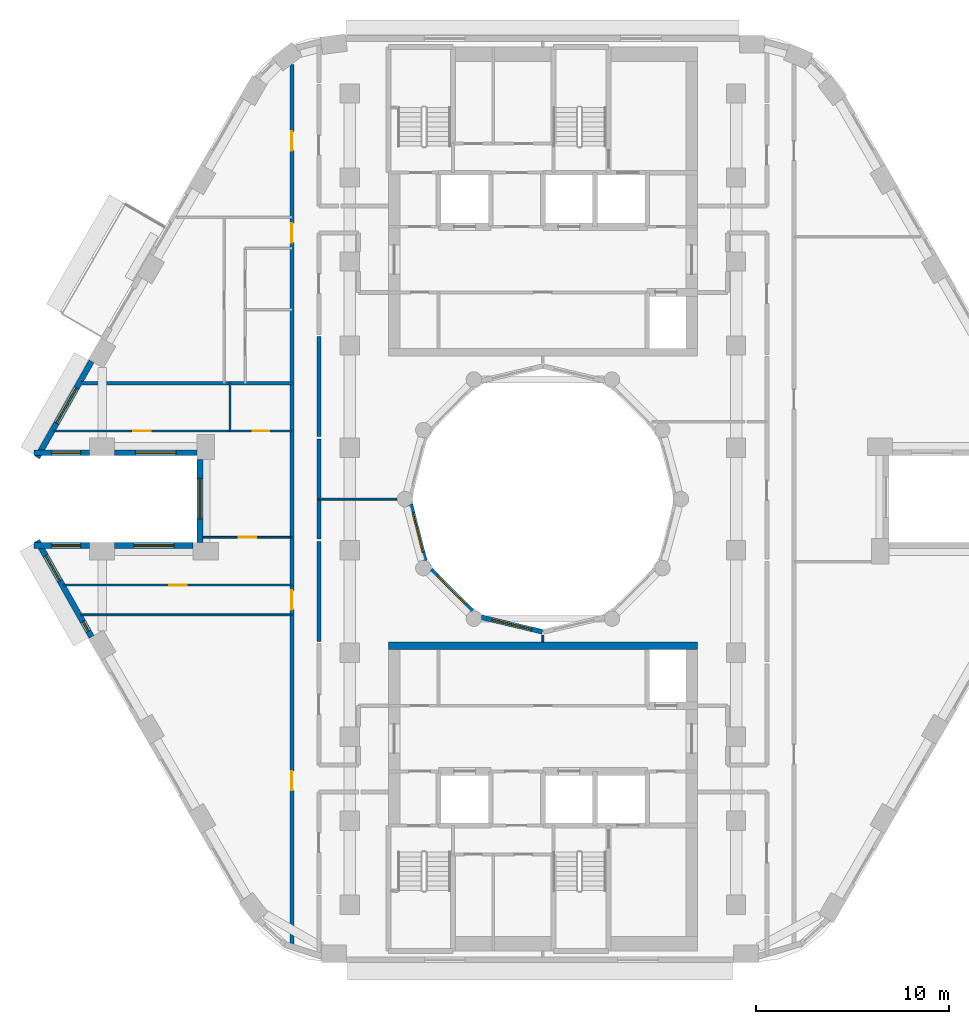
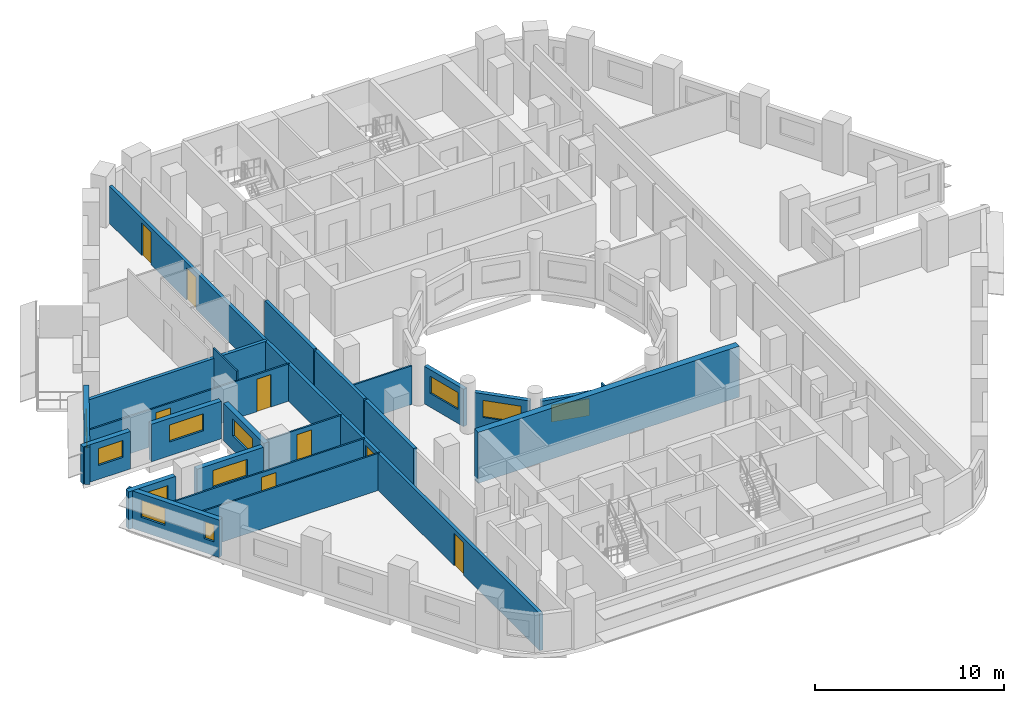
# One storey, part 4 of 13: 23 walls, 11 windows, 8 doors, 19 openings.
"""IFC4 building model written with IfcOpenShell, lengths in metres."""

from ifc_helpers import new_model, si_unit, direction, frame, frame_2d, origin, place, context, subcontext, project, spatial, rectangle, extrude, material, layer, layer_set, type_object, element, fill, save


model = new_model("IFC4")

# Units and contexts
model_context = context("Model", 3, precision=1e-05, world=origin(), true_north=direction((0.0, 1.0)))
body_context = subcontext(model_context, "Body", "Model", "MODEL_VIEW")
ifc_project = project(units=[si_unit("LENGTHUNIT", "METRE"), si_unit("AREAUNIT", "SQUARE_METRE"), si_unit("VOLUMEUNIT", "CUBIC_METRE"), si_unit("PLANEANGLEUNIT", "RADIAN"), si_unit("MASSUNIT", "GRAM", prefix="KILO")], contexts=[model_context])

# Site, building, storey
site_placement = place(None, origin())
site = spatial("IfcSite", under=ifc_project, at=site_placement, CompositionType="ELEMENT")
building_placement = place(site_placement, origin())
building = spatial("IfcBuilding", under=site, at=building_placement, Name="Nakaniwa Court", CompositionType="ELEMENT")
storey_placement = place(building_placement, frame((0.0, 0.0, 130.5)))
storey = spatial("IfcBuildingStorey", under=building, at=storey_placement, Name="L33", CompositionType="ELEMENT", Elevation=130.5)

# Walls
ifc_material_1 = material(Name="Acoustic double stud partition")
ifc_layer_1 = layer(ifc_material_1, 0.199951171875)
ifc_layer_set_1 = layer_set([ifc_layer_1], Name="Acoustic double stud partition")
wall_type_1 = type_object("IfcWallType", Name="Acoustic double stud partition 200", PredefinedType="PARTITIONING", material=ifc_layer_set_1)
for number, where, z_axis, x_axis, name in (
    (1, (68.39990234375, 72.627197265625, 0.0), (0.0, 0.0, 1.0), (0.0, 1.0, 0.0), "Partition PW-097"),
    (2, (68.39990234375, 77.92724609375, 0.0), (0.0, 0.0, 1.0), (0.0, 1.0, 0.0), "Partition PW-098"),
    (3, (68.39990234375, 83.227294921875, 0.0), (0.0, 0.0, 1.0), (0.0, 1.0, 0.0), "Partition PW-099"),
):
    element("IfcWall", number, at=place(storey_placement, frame(where, z_axis=z_axis, x_axis=x_axis)), inside=storey, type_object=wall_type_1, Name=name, PredefinedType="PARTITIONING", context=body_context, shape_type="SweptSolid", body=[
        extrude(rectangle(XDim=5.185546875, YDim=0.199951171875, at=frame_2d((2.5927734375, 0.0))), origin(), (0.0, 0.0, 1.0), 3.02490234375),
    ])

# Wall, openings, doors
wall_1_placement = place(storey_placement, frame((67.0, 56.833251953125, 0.0), z_axis=(0.0, 0.0, 1.0), x_axis=(0.0, 1.0, 0.0)))
wall_1 = element("IfcWall", 4, at=wall_1_placement, inside=storey, type_object=wall_type_1, Name="Partition PW-103", PredefinedType="PARTITIONING", context=body_context, shape_type="SweptSolid", body=[
    extrude(rectangle(XDim=45.660888671875, YDim=0.199951171875, at=frame_2d((22.83056640625, 0.0))), origin(), (0.0, 0.0, 1.0), 2.405029296875),
])
opening_1_placement = place(wall_1_placement, frame((8.083984375, 0.0, 0.0)))
opening_1 = element("IfcOpeningElement", 5, at=opening_1_placement, cuts=wall_1, Name="Opening D-02-07", PredefinedType="OPENING", context=body_context, shape_type="SweptSolid", body=[
    extrude(rectangle(XDim=1.0, YDim=2.10009765625, at=frame_2d((0.5, 1.050048828125))), frame((0.0, 0.10986328125, 0.0), z_axis=(0.0, -1.0, 0.0), x_axis=(1.0, 0.0, 0.0)), (0.0, 0.0, 1.0), 0.219970703125),
])
opening_2_placement = place(wall_1_placement, frame((17.44189453125, 0.0, 0.0)))
opening_2 = element("IfcOpeningElement", 6, at=opening_2_placement, cuts=wall_1, Name="Opening D-01-01", PredefinedType="OPENING", context=body_context, shape_type="SweptSolid", body=[
    extrude(rectangle(XDim=1.0, YDim=2.10009765625, at=frame_2d((0.5, 1.050048828125))), frame((0.0, 0.10986328125, 0.0), z_axis=(0.0, -1.0, 0.0), x_axis=(1.0, 0.0, 0.0)), (0.0, 0.0, 1.0), 0.219970703125),
])
opening_3_placement = place(wall_1_placement, frame((36.449951171875, 0.0, 0.0)))
opening_3 = element("IfcOpeningElement", 7, at=opening_3_placement, cuts=wall_1, Name="Opening D-01-02", PredefinedType="OPENING", context=body_context, shape_type="SweptSolid", body=[
    extrude(rectangle(XDim=1.0, YDim=2.10009765625, at=frame_2d((0.5, 1.050048828125))), frame((0.0, 0.10986328125, 0.0), z_axis=(0.0, -1.0, 0.0), x_axis=(1.0, 0.0, 0.0)), (0.0, 0.0, 1.0), 0.219970703125),
])
opening_4_placement = place(wall_1_placement, frame((41.202880859375, 0.0, 0.0)))
opening_4 = element("IfcOpeningElement", 8, at=opening_4_placement, cuts=wall_1, Name="Opening D-02-13", PredefinedType="OPENING", context=body_context, shape_type="SweptSolid", body=[
    extrude(rectangle(XDim=1.0, YDim=2.10009765625, at=frame_2d((0.5, 1.050048828125))), frame((0.0, 0.10986328125, 0.0), z_axis=(0.0, -1.0, 0.0), x_axis=(1.0, 0.0, 0.0)), (0.0, 0.0, 1.0), 0.219970703125),
])
ifc_material_2 = material(Name="Solid core timber door set, black veneer", Category="wood")
door_type_1 = type_object("IfcDoorType", Name="Flat entrance door 1000", OperationType="NOTDEFINED", PredefinedType="DOOR", material=ifc_material_2)
door_1_placement = place(opening_2_placement, origin())
door_1 = element("IfcDoor", 9, at=door_1_placement, inside=storey, type_object=door_type_1, Name="Door D-01-01 L33-029", OperationType="SINGLE_SWING_RIGHT", OverallHeight=2.10009765625, OverallWidth=1.0, PredefinedType="DOOR", context=body_context, shape_type="SweptSolid", body=[
    extrude(rectangle(XDim=1.0, YDim=2.10009765625, at=frame_2d((0.5, 1.050048828125))), frame((0.0, 0.02490234375, 0.0), z_axis=(0.0, -1.0, 0.0), x_axis=(1.0, 0.0, 0.0)), (0.0, 0.0, 1.0), 0.050048828125),
])
fill(opening_2, door_1)
door_2_placement = place(opening_3_placement, origin())
door_2 = element("IfcDoor", 10, at=door_2_placement, inside=storey, type_object=door_type_1, Name="Door D-01-02 L33-035", OperationType="SINGLE_SWING_RIGHT", OverallHeight=2.10009765625, OverallWidth=1.0, PredefinedType="DOOR", context=body_context, shape_type="SweptSolid", body=[
    extrude(rectangle(XDim=1.0, YDim=2.10009765625, at=frame_2d((0.5, 1.050048828125))), frame((0.0, 0.02490234375, 0.0), z_axis=(0.0, -1.0, 0.0), x_axis=(1.0, 0.0, 0.0)), (0.0, 0.0, 1.0), 0.050048828125),
])
fill(opening_3, door_2)
door_type_2 = type_object("IfcDoorType", Name="Internal door 1000", OperationType="NOTDEFINED", PredefinedType="DOOR", material=ifc_material_2)
door_3_placement = place(opening_1_placement, origin())
door_3 = element("IfcDoor", 11, at=door_3_placement, inside=storey, type_object=door_type_2, Name="Door D-02-07 L33-027", OperationType="SINGLE_SWING_RIGHT", OverallHeight=2.10009765625, OverallWidth=1.0, PredefinedType="DOOR", context=body_context, shape_type="SweptSolid", body=[
    extrude(rectangle(XDim=1.0, YDim=2.10009765625, at=frame_2d((0.5, 1.050048828125))), frame((0.0, 0.02490234375, 0.0), z_axis=(0.0, -1.0, 0.0), x_axis=(1.0, 0.0, 0.0)), (0.0, 0.0, 1.0), 0.050048828125),
])
fill(opening_1, door_3)
door_4_placement = place(opening_4_placement, origin())
door_4 = element("IfcDoor", 12, at=door_4_placement, inside=storey, type_object=door_type_2, Name="Door D-02-13 L33-042", OperationType="SINGLE_SWING_LEFT", OverallHeight=2.10009765625, OverallWidth=1.0, PredefinedType="DOOR", context=body_context, shape_type="SweptSolid", body=[
    extrude(rectangle(XDim=1.0, YDim=2.10009765625, at=frame_2d((0.5, 1.050048828125))), frame((0.0, 0.02490234375, 0.0), z_axis=(0.0, -1.0, 0.0), x_axis=(1.0, 0.0, 0.0)), (0.0, 0.0, 1.0), 0.050048828125),
])
fill(opening_4, door_4)

# Wall
wall_2_placement = place(storey_placement, frame((56.097900390625, 86.0, 0.0), z_axis=(0.0, 0.0, 1.0), x_axis=(1.0, 0.0, 0.0)))
element("IfcWall", 13, at=wall_2_placement, inside=storey, type_object=wall_type_1, Name="Partition PW-122", PredefinedType="PARTITIONING", context=body_context, shape_type="SweptSolid", body=[
    extrude(rectangle(XDim=10.901123046875, YDim=0.199951171875, at=frame_2d((5.45068359375, 0.0))), origin(), (0.0, 0.0, 1.0), 2.405029296875),
])

# Wall, opening, window
ifc_material_3 = material(Name="Charcoal ceramic cladding")
ifc_layer_2 = layer(ifc_material_3, 0.02, Name="Ceramic cladding")
ifc_material_4 = material(Name="Ventilated air cavity")
ifc_layer_3 = layer(ifc_material_4, 0.04, ventilated=True, Name="Ventilated cavity")
ifc_material_5 = material(Name="Mineral wool insulation")
ifc_layer_4 = layer(ifc_material_5, 0.1, Name="Insulation")
ifc_material_6 = material(Name="Cement bonded sheathing board")
ifc_layer_5 = layer(ifc_material_6, 0.012, Name="Sheathing")
ifc_material_7 = material(Name="Cold-formed galvanised stud frame with mineral wool infill")
ifc_layer_6 = layer(ifc_material_7, 0.1, Name="Stud frame")
ifc_material_8 = material(Name="Fire-rated gypsum plasterboard lining")
ifc_layer_7 = layer(ifc_material_8, 0.028, Name="Lining")
ifc_layer_set_2 = layer_set([ifc_layer_2, ifc_layer_3, ifc_layer_4, ifc_layer_5, ifc_layer_6, ifc_layer_7], Name="Charcoal ceramic faced external wall system")
wall_type_2 = type_object("IfcWallType", Name="Black ceramic faced external wall 300", PredefinedType="SOLIDWALL", material=ifc_layer_set_2)
wall_3_placement = place(storey_placement, frame((56.63427734375, 87.13720703125, 0.0), z_axis=(0.0, 0.0, 1.0), x_axis=(-0.492498306264, -0.87031340236, 0.0)))
wall_3 = element("IfcWall", 14, at=wall_3_placement, inside=storey, type_object=wall_type_2, Name="L33 external wall 14", PredefinedType="SOLIDWALL", context=body_context, shape_type="SweptSolid", body=[
    extrude(rectangle(XDim=5.7265625, YDim=0.300048828125, at=frame_2d((2.86328125, 0.0))), origin(), (0.0, 0.0, 1.0), 2.425048828125),
])
opening_5_placement = place(wall_3_placement, frame((1.582275390625, 0.0, 0.89990234375)))
opening_5 = element("IfcOpeningElement", 15, at=opening_5_placement, cuts=wall_3, Name="Opening W7.15", PredefinedType="OPENING", context=body_context, shape_type="SweptSolid", body=[
    extrude(rectangle(XDim=2.10009765625, YDim=1.10009765625, at=frame_2d((1.050048828125, 0.550048828125))), frame((0.0, 0.159912109375, 0.0), z_axis=(0.0, -1.0, 0.0), x_axis=(1.0, 0.0, 0.0)), (0.0, 0.0, 1.0), 0.320068359375),
])
ifc_material_9 = material(Name="Black anodised aluminium frame with dark low-E laminated double glazing", Category="aluminium")
window_type_1 = type_object("IfcWindowType", Name="Dark glass window 2100x1100 sill 900", PartitioningType="SINGLE_PANEL", PredefinedType="WINDOW", material=ifc_material_9)
window_1_placement = place(opening_5_placement, origin())
window_1 = element("IfcWindow", 16, at=window_1_placement, inside=storey, type_object=window_type_1, Name="L33 habitable room window 14-1", OverallHeight=1.10009765625, OverallWidth=2.10009765625, PartitioningType="SINGLE_PANEL", PredefinedType="WINDOW", context=body_context, shape_type="SweptSolid", body=[
    extrude(rectangle(XDim=2.10009765625, YDim=1.10009765625, at=frame_2d((1.050048828125, 0.550048828125))), frame((0.0, 0.030029296875, 0.0), z_axis=(0.0, -1.0, 0.0), x_axis=(1.0, 0.0, 0.0)), (0.0, 0.0, 1.0), 0.06005859375),
])
fill(opening_5, window_1)

wall_4_placement = place(storey_placement, frame((53.643310546875, 82.39990234375, 0.0), z_axis=(0.0, 0.0, 1.0), x_axis=(1.0, 0.0, 0.0)))
wall_4 = element("IfcWall", 17, at=wall_4_placement, inside=storey, type_object=wall_type_2, Name="L33 external wall 15", PredefinedType="SOLIDWALL", context=body_context, shape_type="SweptSolid", body=[
    extrude(rectangle(XDim=2.8876953125, YDim=0.300048828125, at=frame_2d((1.44384765625, 0.0))), origin(), (0.0, 0.0, 1.0), 2.425048828125),
])
opening_6_placement = place(wall_4_placement, frame((0.9189453125, 0.0, 0.89990234375)))
opening_6 = element("IfcOpeningElement", 18, at=opening_6_placement, cuts=wall_4, Name="Opening W5.16", PredefinedType="OPENING", context=body_context, shape_type="SweptSolid", body=[
    extrude(rectangle(XDim=1.5, YDim=1.10009765625, at=frame_2d((0.75, 0.550048828125))), frame((0.0, 0.159912109375, 0.0), z_axis=(0.0, -1.0, 0.0), x_axis=(1.0, 0.0, 0.0)), (0.0, 0.0, 1.0), 0.320068359375),
])
window_type_2 = type_object("IfcWindowType", Name="Dark glass window 1500x1100 sill 900", PartitioningType="SINGLE_PANEL", PredefinedType="WINDOW", material=ifc_material_9)
window_2_placement = place(opening_6_placement, origin())
window_2 = element("IfcWindow", 19, at=window_2_placement, inside=storey, type_object=window_type_2, Name="L33 living window 15-0", OverallHeight=1.10009765625, OverallWidth=1.5, PartitioningType="SINGLE_PANEL", PredefinedType="WINDOW", context=body_context, shape_type="SweptSolid", body=[
    extrude(rectangle(XDim=1.5, YDim=1.10009765625, at=frame_2d((0.75, 0.550048828125))), frame((0.0, 0.030029296875, 0.0), z_axis=(0.0, -1.0, 0.0), x_axis=(1.0, 0.0, 0.0)), (0.0, 0.0, 1.0), 0.06005859375),
])
fill(opening_6, window_2)

wall_5_placement = place(storey_placement, frame((57.822998046875, 82.39990234375, 0.0), z_axis=(0.0, 0.0, 1.0), x_axis=(1.0, 0.0, 0.0)))
wall_5 = element("IfcWall", 20, at=wall_5_placement, inside=storey, type_object=wall_type_2, Name="L33 external wall 16", PredefinedType="SOLIDWALL", context=body_context, shape_type="SweptSolid", body=[
    extrude(rectangle(XDim=4.272705078125, YDim=0.300048828125, at=frame_2d((2.13623046875, 0.0))), origin(), (0.0, 0.0, 1.0), 2.425048828125),
])
opening_7_placement = place(wall_5_placement, frame((1.086181640625, 0.0, 0.89990234375)))
opening_7 = element("IfcOpeningElement", 21, at=opening_7_placement, cuts=wall_5, Name="Opening W7.17", PredefinedType="OPENING", context=body_context, shape_type="SweptSolid", body=[
    extrude(rectangle(XDim=2.10009765625, YDim=1.10009765625, at=frame_2d((1.050048828125, 0.550048828125))), frame((0.0, 0.159912109375, 0.0), z_axis=(0.0, -1.0, 0.0), x_axis=(1.0, 0.0, 0.0)), (0.0, 0.0, 1.0), 0.320068359375),
])
window_3_placement = place(opening_7_placement, origin())
window_3 = element("IfcWindow", 22, at=window_3_placement, inside=storey, type_object=window_type_1, Name="L33 living window 16-0", OverallHeight=1.10009765625, OverallWidth=2.10009765625, PartitioningType="SINGLE_PANEL", PredefinedType="WINDOW", context=body_context, shape_type="SweptSolid", body=[
    extrude(rectangle(XDim=2.10009765625, YDim=1.10009765625, at=frame_2d((1.050048828125, 0.550048828125))), frame((0.0, 0.030029296875, 0.0), z_axis=(0.0, -1.0, 0.0), x_axis=(1.0, 0.0, 0.0)), (0.0, 0.0, 1.0), 0.06005859375),
])
fill(opening_7, window_3)

wall_6_placement = place(storey_placement, frame((62.24169921875, 82.053955078125, 0.0), z_axis=(0.0, 0.0, 1.0), x_axis=(0.0, -1.0, 0.0)))
wall_6 = element("IfcWall", 23, at=wall_6_placement, inside=storey, type_object=wall_type_2, Name="L33 external wall 17", PredefinedType="SOLIDWALL", context=body_context, shape_type="SweptSolid", body=[
    extrude(rectangle(XDim=4.307861328125, YDim=0.300048828125, at=frame_2d((2.15380859375, 0.0))), origin(), (0.0, 0.0, 1.0), 2.425048828125),
])
opening_8_placement = place(wall_6_placement, frame((0.9765625, 0.0, 0.89990234375)))
opening_8 = element("IfcOpeningElement", 24, at=opening_8_placement, cuts=wall_6, Name="Opening W7.18", PredefinedType="OPENING", context=body_context, shape_type="SweptSolid", body=[
    extrude(rectangle(XDim=2.10009765625, YDim=1.10009765625, at=frame_2d((1.050048828125, 0.550048828125))), frame((0.0, 0.159912109375, 0.0), z_axis=(0.0, -1.0, 0.0), x_axis=(1.0, 0.0, 0.0)), (0.0, 0.0, 1.0), 0.320068359375),
])
window_4_placement = place(opening_8_placement, origin())
window_4 = element("IfcWindow", 25, at=window_4_placement, inside=storey, type_object=window_type_1, Name="L33 living window 17-0", OverallHeight=1.10009765625, OverallWidth=2.10009765625, PartitioningType="SINGLE_PANEL", PredefinedType="WINDOW", context=body_context, shape_type="SweptSolid", body=[
    extrude(rectangle(XDim=2.10009765625, YDim=1.10009765625, at=frame_2d((1.050048828125, 0.550048828125))), frame((0.0, 0.030029296875, 0.0), z_axis=(0.0, -1.0, 0.0), x_axis=(1.0, 0.0, 0.0)), (0.0, 0.0, 1.0), 0.06005859375),
])
fill(opening_8, window_4)

wall_7_placement = place(storey_placement, frame((61.8955078125, 77.60009765625, 0.0), z_axis=(0.0, 0.0, 1.0), x_axis=(-1.0, 0.0, 0.0)))
wall_7 = element("IfcWall", 26, at=wall_7_placement, inside=storey, type_object=wall_type_2, Name="L33 external wall 18", PredefinedType="SOLIDWALL", context=body_context, shape_type="SweptSolid", body=[
    extrude(rectangle(XDim=4.072509765625, YDim=0.300048828125, at=frame_2d((2.0361328125, 0.0))), origin(), (0.0, 0.0, 1.0), 2.425048828125),
])
opening_9_placement = place(wall_7_placement, frame((0.986083984375, 0.0, 0.89990234375)))
opening_9 = element("IfcOpeningElement", 27, at=opening_9_placement, cuts=wall_7, Name="Opening W7.19", PredefinedType="OPENING", context=body_context, shape_type="SweptSolid", body=[
    extrude(rectangle(XDim=2.10009765625, YDim=1.10009765625, at=frame_2d((1.050048828125, 0.550048828125))), frame((0.0, 0.159912109375, 0.0), z_axis=(0.0, -1.0, 0.0), x_axis=(1.0, 0.0, 0.0)), (0.0, 0.0, 1.0), 0.320068359375),
])
window_5_placement = place(opening_9_placement, origin())
window_5 = element("IfcWindow", 28, at=window_5_placement, inside=storey, type_object=window_type_1, Name="L33 habitable room window 18-0", OverallHeight=1.10009765625, OverallWidth=2.10009765625, PartitioningType="SINGLE_PANEL", PredefinedType="WINDOW", context=body_context, shape_type="SweptSolid", body=[
    extrude(rectangle(XDim=2.10009765625, YDim=1.10009765625, at=frame_2d((1.050048828125, 0.550048828125))), frame((0.0, 0.030029296875, 0.0), z_axis=(0.0, -1.0, 0.0), x_axis=(1.0, 0.0, 0.0)), (0.0, 0.0, 1.0), 0.06005859375),
])
fill(opening_9, window_5)

wall_8_placement = place(storey_placement, frame((56.531005859375, 77.60009765625, 0.0), z_axis=(0.0, 0.0, 1.0), x_axis=(-1.0, 0.0, 0.0)))
wall_8 = element("IfcWall", 29, at=wall_8_placement, inside=storey, type_object=wall_type_2, Name="L33 external wall 19", PredefinedType="SOLIDWALL", context=body_context, shape_type="SweptSolid", body=[
    extrude(rectangle(XDim=2.8876953125, YDim=0.300048828125, at=frame_2d((1.44384765625, 0.0))), origin(), (0.0, 0.0, 1.0), 2.425048828125),
])
opening_10_placement = place(wall_8_placement, frame((0.468994140625, 0.0, 0.89990234375)))
opening_10 = element("IfcOpeningElement", 30, at=opening_10_placement, cuts=wall_8, Name="Opening W5.20", PredefinedType="OPENING", context=body_context, shape_type="SweptSolid", body=[
    extrude(rectangle(XDim=1.5, YDim=1.10009765625, at=frame_2d((0.75, 0.550048828125))), frame((0.0, 0.159912109375, 0.0), z_axis=(0.0, -1.0, 0.0), x_axis=(1.0, 0.0, 0.0)), (0.0, 0.0, 1.0), 0.320068359375),
])
window_6_placement = place(opening_10_placement, origin())
window_6 = element("IfcWindow", 31, at=window_6_placement, inside=storey, type_object=window_type_2, Name="L33 habitable room window 19-0", OverallHeight=1.10009765625, OverallWidth=1.5, PartitioningType="SINGLE_PANEL", PredefinedType="WINDOW", context=body_context, shape_type="SweptSolid", body=[
    extrude(rectangle(XDim=1.5, YDim=1.10009765625, at=frame_2d((0.75, 0.550048828125))), frame((0.0, 0.030029296875, 0.0), z_axis=(0.0, -1.0, 0.0), x_axis=(1.0, 0.0, 0.0)), (0.0, 0.0, 1.0), 0.06005859375),
])
fill(opening_10, window_6)

# Wall, openings, windows
wall_9_placement = place(storey_placement, frame((53.81396484375, 77.8466796875, 0.0), z_axis=(0.0, 0.0, 1.0), x_axis=(0.492498306264, -0.87031340236, 0.0)))
wall_9 = element("IfcWall", 32, at=wall_9_placement, inside=storey, type_object=wall_type_2, Name="L33 external wall 20", PredefinedType="SOLIDWALL", context=body_context, shape_type="SweptSolid", body=[
    extrude(rectangle(XDim=5.7265625, YDim=0.300048828125, at=frame_2d((2.86328125, 0.0))), origin(), (0.0, 0.0, 1.0), 2.425048828125),
])
opening_11_placement = place(wall_9_placement, frame((0.8935546875, 0.0, 0.89990234375)))
opening_11 = element("IfcOpeningElement", 33, at=opening_11_placement, cuts=wall_9, Name="Opening W5.21", PredefinedType="OPENING", context=body_context, shape_type="SweptSolid", body=[
    extrude(rectangle(XDim=1.5, YDim=1.10009765625, at=frame_2d((0.75, 0.550048828125))), frame((0.0, 0.159912109375, 0.0), z_axis=(0.0, -1.0, 0.0), x_axis=(1.0, 0.0, 0.0)), (0.0, 0.0, 1.0), 0.320068359375),
])
opening_12_placement = place(wall_9_placement, frame((4.796142578125, 0.0, 0.89990234375)))
opening_12 = element("IfcOpeningElement", 34, at=opening_12_placement, cuts=wall_9, Name="Opening W8.22", PredefinedType="OPENING", context=body_context, shape_type="SweptSolid", body=[
    extrude(rectangle(XDim=0.60009765625, YDim=1.10009765625, at=frame_2d((0.300048828125, 0.550048828125))), frame((0.0, 0.159912109375, 0.0), z_axis=(0.0, -1.0, 0.0), x_axis=(1.0, 0.0, 0.0)), (0.0, 0.0, 1.0), 0.320068359375),
])
window_7_placement = place(opening_11_placement, origin())
window_7 = element("IfcWindow", 35, at=window_7_placement, inside=storey, type_object=window_type_2, Name="L33 habitable room window 20-0", OverallHeight=1.10009765625, OverallWidth=1.5, PartitioningType="SINGLE_PANEL", PredefinedType="WINDOW", context=body_context, shape_type="SweptSolid", body=[
    extrude(rectangle(XDim=1.5, YDim=1.10009765625, at=frame_2d((0.75, 0.550048828125))), frame((0.0, 0.030029296875, 0.0), z_axis=(0.0, -1.0, 0.0), x_axis=(1.0, 0.0, 0.0)), (0.0, 0.0, 1.0), 0.06005859375),
])
fill(opening_11, window_7)
window_type_3 = type_object("IfcWindowType", Name="Dark glass window 600x1100 sill 900", PartitioningType="SINGLE_PANEL", PredefinedType="WINDOW", material=ifc_material_9)
window_8_placement = place(opening_12_placement, origin())
window_8 = element("IfcWindow", 36, at=window_8_placement, inside=storey, type_object=window_type_3, Name="L33 habitable room window 20-2", OverallHeight=1.10009765625, OverallWidth=0.60009765625, PartitioningType="SINGLE_PANEL", PredefinedType="WINDOW", context=body_context, shape_type="SweptSolid", body=[
    extrude(rectangle(XDim=0.60009765625, YDim=1.10009765625, at=frame_2d((0.300048828125, 0.550048828125))), frame((0.0, 0.030029296875, 0.0), z_axis=(0.0, -1.0, 0.0), x_axis=(1.0, 0.0, 0.0)), (0.0, 0.0, 1.0), 0.06005859375),
])
fill(opening_12, window_8)

# Wall, opening, window
ifc_layer_8 = layer(ifc_material_3, 0.02, Name="Ceramic cladding")
ifc_layer_9 = layer(ifc_material_4, 0.04, ventilated=True, Name="Ventilated cavity")
ifc_layer_10 = layer(ifc_material_5, 0.075, Name="Insulation")
ifc_layer_11 = layer(ifc_material_6, 0.012, Name="Sheathing")
ifc_layer_12 = layer(ifc_material_7, 0.075, Name="Stud frame")
ifc_layer_13 = layer(ifc_material_8, 0.028, Name="Lining")
ifc_layer_set_3 = layer_set([ifc_layer_8, ifc_layer_9, ifc_layer_10, ifc_layer_11, ifc_layer_12, ifc_layer_13], Name="Charcoal ceramic faced external wall system")
wall_type_3 = type_object("IfcWallType", Name="Charcoal ceramic faced well wall 250", PredefinedType="SOLIDWALL", material=ifc_layer_set_3)
wall_10_placement = place(storey_placement, frame((79.970947265625, 73.12841796875, 0.0), z_axis=(0.0, 0.0, 1.0), x_axis=(-0.972773113459, 0.231759508395, 0.0)))
wall_10 = element("IfcWall", 37, at=wall_10_placement, inside=storey, type_object=wall_type_3, Name="L33 external wall 39", PredefinedType="SOLIDWALL", context=body_context, shape_type="SweptSolid", body=[
    extrude(rectangle(XDim=3.24560546875, YDim=0.25, at=frame_2d((1.622802734375, 0.0))), origin(), (0.0, 0.0, 1.0), 2.425048828125),
])
opening_13_placement = place(wall_10_placement, frame((0.57275390625, 0.0, 0.89990234375)))
opening_13 = element("IfcOpeningElement", 38, at=opening_13_placement, cuts=wall_10, Name="Opening W7.38", PredefinedType="OPENING", context=body_context, shape_type="SweptSolid", body=[
    extrude(rectangle(XDim=2.10009765625, YDim=1.10009765625, at=frame_2d((1.050048828125, 0.550048828125))), frame((0.0, 0.135009765625, 0.0), z_axis=(0.0, -1.0, 0.0), x_axis=(1.0, 0.0, 0.0)), (0.0, 0.0, 1.0), 0.27001953125),
])
window_9_placement = place(opening_13_placement, origin())
window_9 = element("IfcWindow", 39, at=window_9_placement, inside=storey, type_object=window_type_1, Name="L33 habitable room window 39-0", OverallHeight=1.10009765625, OverallWidth=2.10009765625, PartitioningType="SINGLE_PANEL", PredefinedType="WINDOW", context=body_context, shape_type="SweptSolid", body=[
    extrude(rectangle(XDim=2.10009765625, YDim=1.10009765625, at=frame_2d((1.050048828125, 0.550048828125))), frame((0.0, 0.030029296875, 0.0), z_axis=(0.0, -1.0, 0.0), x_axis=(1.0, 0.0, 0.0)), (0.0, 0.0, 1.0), 0.06005859375),
])
fill(opening_13, window_9)

wall_11_placement = place(storey_placement, frame((76.339111328125, 74.1943359375, 0.0), z_axis=(0.0, 0.0, 1.0), x_axis=(-0.707106781187, 0.707106781187, 0.0)))
wall_11 = element("IfcWall", 40, at=wall_11_placement, inside=storey, type_object=wall_type_3, Name="L33 external wall 40", PredefinedType="SOLIDWALL", context=body_context, shape_type="SweptSolid", body=[
    extrude(rectangle(XDim=3.033203125, YDim=0.25, at=frame_2d((1.5166015625, 0.0))), origin(), (0.0, 0.0, 1.0), 2.425048828125),
])
opening_14_placement = place(wall_11_placement, frame((0.466552734375, 0.0, 0.89990234375)))
opening_14 = element("IfcOpeningElement", 41, at=opening_14_placement, cuts=wall_11, Name="Opening W7.39", PredefinedType="OPENING", context=body_context, shape_type="SweptSolid", body=[
    extrude(rectangle(XDim=2.10009765625, YDim=1.10009765625, at=frame_2d((1.050048828125, 0.550048828125))), frame((0.0, 0.135009765625, 0.0), z_axis=(0.0, -1.0, 0.0), x_axis=(1.0, 0.0, 0.0)), (0.0, 0.0, 1.0), 0.27001953125),
])
window_10_placement = place(opening_14_placement, origin())
window_10 = element("IfcWindow", 42, at=window_10_placement, inside=storey, type_object=window_type_1, Name="L33 habitable room window 40-0", OverallHeight=1.10009765625, OverallWidth=2.10009765625, PartitioningType="SINGLE_PANEL", PredefinedType="WINDOW", context=body_context, shape_type="SweptSolid", body=[
    extrude(rectangle(XDim=2.10009765625, YDim=1.10009765625, at=frame_2d((1.050048828125, 0.550048828125))), frame((0.0, 0.030029296875, 0.0), z_axis=(0.0, -1.0, 0.0), x_axis=(1.0, 0.0, 0.0)), (0.0, 0.0, 1.0), 0.06005859375),
])
fill(opening_14, window_10)

wall_12_placement = place(storey_placement, frame((73.88330078125, 76.813232421875, 0.0), z_axis=(0.0, 0.0, 1.0), x_axis=(-0.247055971283, 0.969001211069, 0.0)))
wall_12 = element("IfcWall", 43, at=wall_12_placement, inside=storey, type_object=wall_type_3, Name="L33 external wall 41", PredefinedType="SOLIDWALL", context=body_context, shape_type="SweptSolid", body=[
    extrude(rectangle(XDim=3.010009765625, YDim=0.25, at=frame_2d((1.5048828125, 0.0))), origin(), (0.0, 0.0, 1.0), 2.425048828125),
])
opening_15_placement = place(wall_12_placement, frame((0.441162109375, 0.0, 0.89990234375)))
opening_15 = element("IfcOpeningElement", 44, at=opening_15_placement, cuts=wall_12, Name="Opening W7.40", PredefinedType="OPENING", context=body_context, shape_type="SweptSolid", body=[
    extrude(rectangle(XDim=2.10009765625, YDim=1.10009765625, at=frame_2d((1.050048828125, 0.550048828125))), frame((0.0, 0.135009765625, 0.0), z_axis=(0.0, -1.0, 0.0), x_axis=(1.0, 0.0, 0.0)), (0.0, 0.0, 1.0), 0.27001953125),
])
window_11_placement = place(opening_15_placement, origin())
window_11 = element("IfcWindow", 45, at=window_11_placement, inside=storey, type_object=window_type_1, Name="L33 habitable room window 41-0", OverallHeight=1.10009765625, OverallWidth=2.10009765625, PartitioningType="SINGLE_PANEL", PredefinedType="WINDOW", context=body_context, shape_type="SweptSolid", body=[
    extrude(rectangle(XDim=2.10009765625, YDim=1.10009765625, at=frame_2d((1.050048828125, 0.550048828125))), frame((0.0, 0.030029296875, 0.0), z_axis=(0.0, -1.0, 0.0), x_axis=(1.0, 0.0, 0.0)), (0.0, 0.0, 1.0), 0.06005859375),
])
fill(opening_15, window_11)

# Walls
ifc_material_10 = material(Name="Concrete C80/100", Category="concrete")
ifc_layer_14 = layer(ifc_material_10, 0.39990234375)
ifc_layer_set_4 = layer_set([ifc_layer_14], Name="Concrete C80/100")
wall_type_4 = type_object("IfcWallType", Name="Concrete core well wall 400 C80", PredefinedType="SHEAR", material=ifc_layer_set_4)
wall_13_placement = place(storey_placement, frame((72.00390625, 72.39990234375, -0.27490234375), z_axis=(0.0, 0.0, 1.0), x_axis=(1.0, 0.0, 0.0)))
element("IfcWall", 46, at=wall_13_placement, inside=storey, type_object=wall_type_4, Name="Core wall SW-129", PredefinedType="SHEAR", context=body_context, shape_type="SweptSolid", body=[
    extrude(rectangle(XDim=15.9921875, YDim=0.39990234375, at=frame_2d((7.99609375, 0.0))), origin(), (0.0, 0.0, 1.0), 3.2998046875),
])
ifc_material_11 = material(Name="Single stud plasterboard partition")
ifc_layer_15 = layer(ifc_material_11, 0.10009765625)
ifc_layer_set_5 = layer_set([ifc_layer_15], Name="Single stud plasterboard partition")
wall_type_5 = type_object("IfcWallType", Name="Single stud plasterboard partition 100", PredefinedType="PARTITIONING", material=ifc_layer_set_5)
wall_14_placement = place(storey_placement, frame((80.0, 72.60009765625, 0.0), z_axis=(0.0, 0.0, 1.0), x_axis=(0.0, 1.0, 0.0)))
element("IfcWall", 47, at=wall_14_placement, inside=storey, type_object=wall_type_5, Name="Partition PW-109", PredefinedType="PARTITIONING", context=body_context, shape_type="SweptSolid", body=[
    extrude(rectangle(XDim=0.351806640625, YDim=0.10009765625, at=frame_2d((0.17578125, 0.0))), origin(), (0.0, 0.0, 1.0), 3.02490234375),
])
wall_15_placement = place(storey_placement, frame((56.097900390625, 74.0, 0.0), z_axis=(0.0, 0.0, 1.0), x_axis=(1.0, 0.0, 0.0)))
element("IfcWall", 48, at=wall_15_placement, inside=storey, type_object=wall_type_5, Name="Partition PW-116", PredefinedType="PARTITIONING", context=body_context, shape_type="SweptSolid", body=[
    extrude(rectangle(XDim=10.901123046875, YDim=0.10009765625, at=frame_2d((5.45068359375, 0.0))), origin(), (0.0, 0.0, 1.0), 2.405029296875),
])
wall_16_placement = place(storey_placement, frame((68.40087890625, 80.0, 0.0), z_axis=(0.0, 0.0, 1.0), x_axis=(1.0, 0.0, 0.0)))
element("IfcWall", 49, at=wall_16_placement, inside=storey, type_object=wall_type_5, Name="Partition PW-117", PredefinedType="PARTITIONING", context=body_context, shape_type="SweptSolid", body=[
    extrude(rectangle(XDim=4.029052734375, YDim=0.10009765625, at=frame_2d((2.0146484375, 0.0))), origin(), (0.0, 0.0, 1.0), 2.5048828125),
])

# Wall, opening, door
wall_17_placement = place(storey_placement, frame((55.202880859375, 75.550048828125, 0.0), z_axis=(0.0, 0.0, 1.0), x_axis=(1.0, 0.0, 0.0)))
wall_17 = element("IfcWall", 50, at=wall_17_placement, inside=storey, type_object=wall_type_5, Name="Partition PW-118", PredefinedType="PARTITIONING", context=body_context, shape_type="SweptSolid", body=[
    extrude(rectangle(XDim=11.796142578125, YDim=0.10009765625, at=frame_2d((5.89794921875, 0.0))), origin(), (0.0, 0.0, 1.0), 2.405029296875),
])
opening_16_placement = place(wall_17_placement, frame((5.447998046875, 0.0, 0.0)))
opening_16 = element("IfcOpeningElement", 51, at=opening_16_placement, cuts=wall_17, Name="Opening D-33-01", PredefinedType="OPENING", context=body_context, shape_type="SweptSolid", body=[
    extrude(rectangle(XDim=0.89990234375, YDim=2.10009765625, at=frame_2d((0.449951171875, 1.050048828125))), frame((0.0, 0.06005859375, 0.0), z_axis=(0.0, -1.0, 0.0), x_axis=(1.0, 0.0, 0.0)), (0.0, 0.0, 1.0), 0.1201171875),
])
door_type_3 = type_object("IfcDoorType", Name="Internal door 900", OperationType="NOTDEFINED", PredefinedType="DOOR", material=ifc_material_2)
door_5_placement = place(opening_16_placement, origin())
door_5 = element("IfcDoor", 52, at=door_5_placement, inside=storey, type_object=door_type_3, Name="Door D-33-01 L33-030", OperationType="SINGLE_SWING_LEFT", OverallHeight=2.10009765625, OverallWidth=0.89990234375, PredefinedType="DOOR", context=body_context, shape_type="SweptSolid", body=[
    extrude(rectangle(XDim=0.89990234375, YDim=2.10009765625, at=frame_2d((0.449951171875, 1.050048828125))), frame((0.0, 0.02490234375, 0.0), z_axis=(0.0, -1.0, 0.0), x_axis=(1.0, 0.0, 0.0)), (0.0, 0.0, 1.0), 0.050048828125),
])
fill(opening_16, door_5)

wall_18_placement = place(storey_placement, frame((62.3916015625, 78.02490234375, 0.0), z_axis=(0.0, 0.0, 1.0), x_axis=(1.0, 0.0, 0.0)))
wall_18 = element("IfcWall", 53, at=wall_18_placement, inside=storey, type_object=wall_type_5, Name="Partition PW-119", PredefinedType="PARTITIONING", context=body_context, shape_type="SweptSolid", body=[
    extrude(rectangle(XDim=4.607421875, YDim=0.10009765625, at=frame_2d((2.3037109375, 0.0))), origin(), (0.0, 0.0, 1.0), 2.405029296875),
])
opening_17_placement = place(wall_18_placement, frame((1.85400390625, 0.0, 0.0)))
opening_17 = element("IfcOpeningElement", 54, at=opening_17_placement, cuts=wall_18, Name="Opening D-33-02", PredefinedType="OPENING", context=body_context, shape_type="SweptSolid", body=[
    extrude(rectangle(XDim=0.89990234375, YDim=2.10009765625, at=frame_2d((0.449951171875, 1.050048828125))), frame((0.0, 0.06005859375, 0.0), z_axis=(0.0, -1.0, 0.0), x_axis=(1.0, 0.0, 0.0)), (0.0, 0.0, 1.0), 0.1201171875),
])
door_6_placement = place(opening_17_placement, origin())
door_6 = element("IfcDoor", 55, at=door_6_placement, inside=storey, type_object=door_type_3, Name="Door D-33-02 L33-031", OperationType="SINGLE_SWING_RIGHT", OverallHeight=2.10009765625, OverallWidth=0.89990234375, PredefinedType="DOOR", context=body_context, shape_type="SweptSolid", body=[
    extrude(rectangle(XDim=0.89990234375, YDim=2.10009765625, at=frame_2d((0.449951171875, 1.050048828125))), frame((0.0, 0.02490234375, 0.0), z_axis=(0.0, -1.0, 0.0), x_axis=(1.0, 0.0, 0.0)), (0.0, 0.0, 1.0), 0.050048828125),
])
fill(opening_17, door_6)

# Wall, openings, doors
wall_19_placement = place(storey_placement, frame((54.668701171875, 83.52490234375, 0.0), z_axis=(0.0, 0.0, 1.0), x_axis=(1.0, 0.0, 0.0)))
wall_19 = element("IfcWall", 56, at=wall_19_placement, inside=storey, type_object=wall_type_5, Name="Partition PW-120", PredefinedType="PARTITIONING", context=body_context, shape_type="SweptSolid", body=[
    extrude(rectangle(XDim=12.330322265625, YDim=0.10009765625, at=frame_2d((6.1650390625, 0.0))), origin(), (0.0, 0.0, 1.0), 2.405029296875),
])
opening_18_placement = place(wall_19_placement, frame((10.304931640625, 0.0, 0.0)))
opening_18 = element("IfcOpeningElement", 57, at=opening_18_placement, cuts=wall_19, Name="Opening D-03-01", PredefinedType="OPENING", context=body_context, shape_type="SweptSolid", body=[
    extrude(rectangle(XDim=0.85009765625, YDim=2.10009765625, at=frame_2d((0.425048828125, 1.050048828125))), frame((0.0, 0.06005859375, 0.0), z_axis=(0.0, -1.0, 0.0), x_axis=(1.0, 0.0, 0.0)), (0.0, 0.0, 1.0), 0.1201171875),
])
opening_19_placement = place(wall_19_placement, frame((4.114990234375, 0.0, 0.0)))
opening_19 = element("IfcOpeningElement", 58, at=opening_19_placement, cuts=wall_19, Name="Opening D-33-03", PredefinedType="OPENING", context=body_context, shape_type="SweptSolid", body=[
    extrude(rectangle(XDim=0.89990234375, YDim=2.10009765625, at=frame_2d((0.449951171875, 1.050048828125))), frame((0.0, 0.06005859375, 0.0), z_axis=(0.0, -1.0, 0.0), x_axis=(1.0, 0.0, 0.0)), (0.0, 0.0, 1.0), 0.1201171875),
])
ifc_material_12 = material(Name="Moisture sealed timber door set", Category="wood")
door_type_4 = type_object("IfcDoorType", Name="Bathroom door 850", OperationType="NOTDEFINED", PredefinedType="DOOR", material=ifc_material_12)
door_7_placement = place(opening_18_placement, origin())
door_7 = element("IfcDoor", 59, at=door_7_placement, inside=storey, type_object=door_type_4, Name="Door D-03-01 L33-032", OperationType="SINGLE_SWING_LEFT", OverallHeight=2.10009765625, OverallWidth=0.85009765625, PredefinedType="DOOR", context=body_context, shape_type="SweptSolid", body=[
    extrude(rectangle(XDim=0.85009765625, YDim=2.10009765625, at=frame_2d((0.425048828125, 1.050048828125))), frame((0.0, 0.02490234375, 0.0), z_axis=(0.0, -1.0, 0.0), x_axis=(1.0, 0.0, 0.0)), (0.0, 0.0, 1.0), 0.050048828125),
])
fill(opening_18, door_7)
door_8_placement = place(opening_19_placement, origin())
door_8 = element("IfcDoor", 60, at=door_8_placement, inside=storey, type_object=door_type_3, Name="Door D-33-03 L33-033", OperationType="SINGLE_SWING_RIGHT", OverallHeight=2.10009765625, OverallWidth=0.89990234375, PredefinedType="DOOR", context=body_context, shape_type="SweptSolid", body=[
    extrude(rectangle(XDim=0.89990234375, YDim=2.10009765625, at=frame_2d((0.449951171875, 1.050048828125))), frame((0.0, 0.02490234375, 0.0), z_axis=(0.0, -1.0, 0.0), x_axis=(1.0, 0.0, 0.0)), (0.0, 0.0, 1.0), 0.050048828125),
])
fill(opening_19, door_8)

# Wall
wall_20_placement = place(storey_placement, frame((63.799072265625, 83.52490234375, 0.0), z_axis=(0.0, 0.0, 1.0), x_axis=(0.0, 1.0, 0.0)))
element("IfcWall", 61, at=wall_20_placement, inside=storey, type_object=wall_type_5, Name="Partition PW-121", PredefinedType="PARTITIONING", context=body_context, shape_type="SweptSolid", body=[
    extrude(rectangle(XDim=2.47509765625, YDim=0.10009765625, at=frame_2d((1.237548828125, 0.0))), origin(), (0.0, 0.0, 1.0), 3.02490234375),
])

save(model, "model.ifc")
